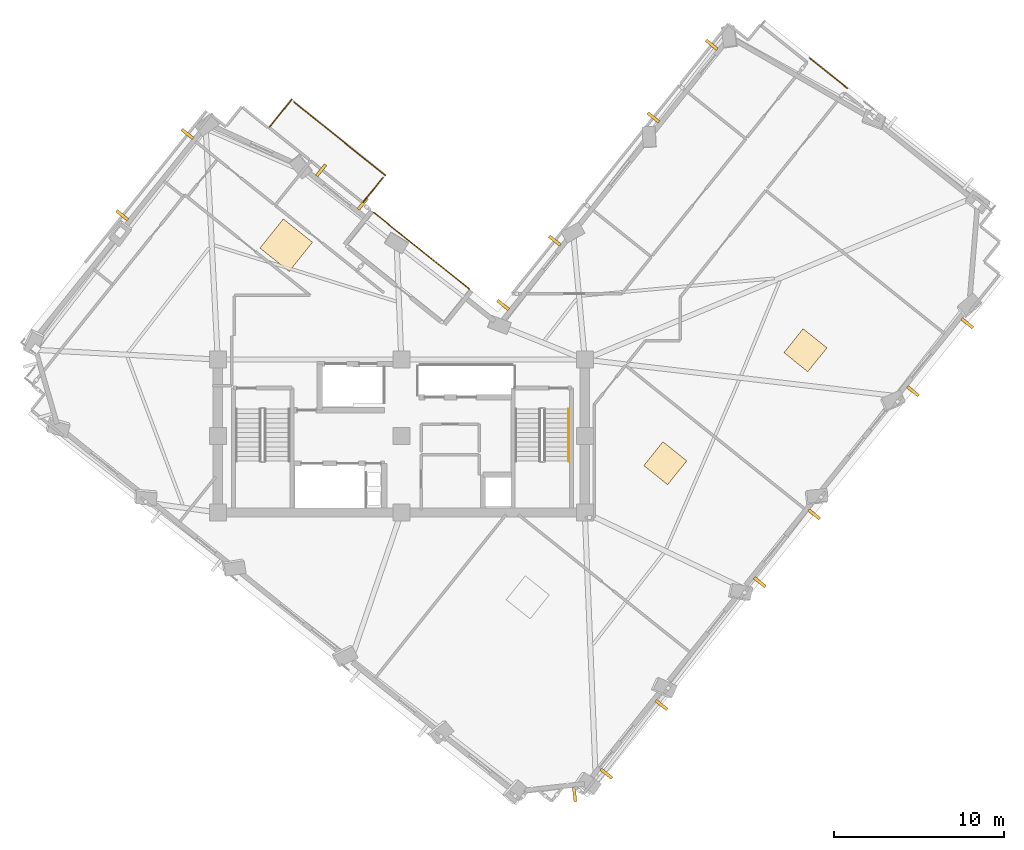
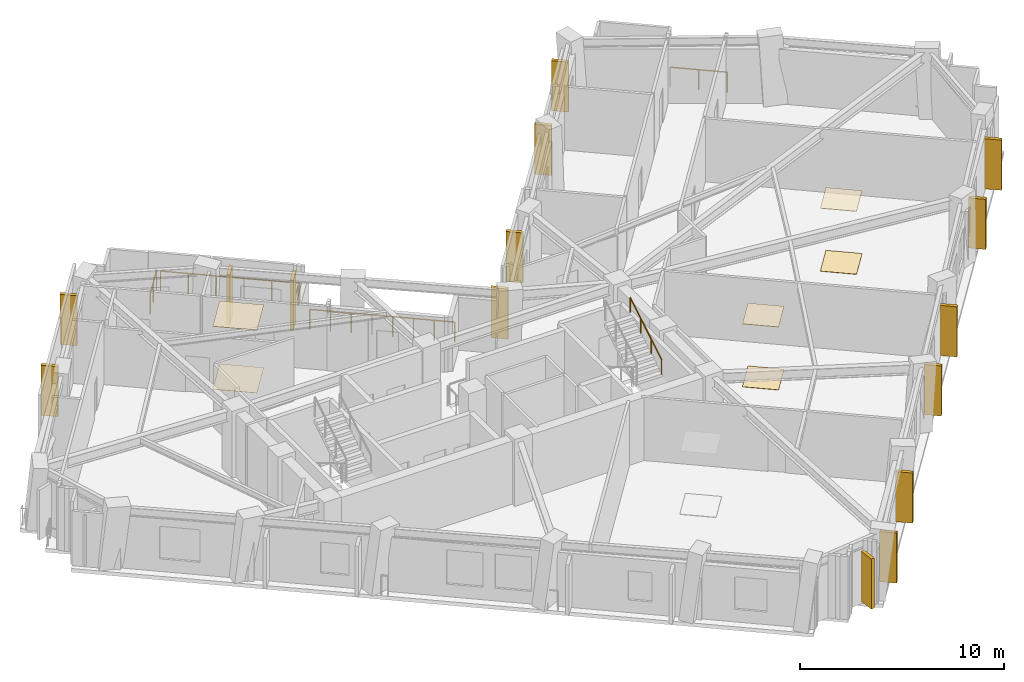
# One storey, part 9 of 10: 15 shading devices, 6 coverings, 6 railings.
"""IFC4 building model written with IfcOpenShell, lengths in metres."""

from ifc_helpers import new_model, si_unit, direction, frame, origin, origin_2d, place, context, subcontext, project, spatial, rectangle, circle, extrude, material, layer, layer_set, type_object, element, save


model = new_model("IFC4")

# Units and contexts
model_context = context("Model", 3, precision=1e-05, world=origin(), true_north=direction((0.0, 1.0)))
body_context = subcontext(model_context, "Body", "Model", "MODEL_VIEW")
ifc_project = project(units=[si_unit("LENGTHUNIT", "METRE"), si_unit("AREAUNIT", "SQUARE_METRE"), si_unit("VOLUMEUNIT", "CUBIC_METRE"), si_unit("PLANEANGLEUNIT", "RADIAN"), si_unit("MASSUNIT", "GRAM", prefix="KILO")], contexts=[model_context])

# Site, building, storey
site_placement = place(None, origin())
site = spatial("IfcSite", under=ifc_project, at=site_placement, CompositionType="ELEMENT")
building_placement = place(site_placement, origin())
building = spatial("IfcBuilding", under=site, at=building_placement, Name="Gaonmaruhae Medical Tower", CompositionType="ELEMENT")
storey_placement = place(building_placement, frame((0.0, 0.0, 243.199951171875)))
storey = spatial("IfcBuildingStorey", under=building, at=storey_placement, Name="L58", CompositionType="ELEMENT", Elevation=243.199951171875)

# Coverings
ifc_material_1 = material(Name="Acoustic mineral ceiling tile", Category="finish")
ifc_layer_1 = layer(ifc_material_1, 0.02490234375)
ifc_layer_set_1 = layer_set([ifc_layer_1], Name="Acoustic mineral ceiling tile")
covering_type_1 = type_object("IfcCoveringType", Name="CLG-01 Antimicrobial Acoustic Mineral Ceiling", PredefinedType="CEILING", material=ifc_layer_set_1)
covering_1_placement = place(storey_placement, frame((18.029052734375, 23.5322265625, 3.755126953125), z_axis=(0.0, 0.0, 1.0), x_axis=(0.625242656336, 0.780430407338, 0.0)))
element("IfcCovering", 1, at=covering_1_placement, inside=storey, type_object=covering_type_1, Name="L58 Clinical Corridor Acoustic Ceiling", PredefinedType="CEILING", context=body_context, shape_type="SweptSolid", body=[
    extrude(rectangle(XDim=2.199951171875, YDim=2.199951171875, at=origin_2d()), origin(), (0.0, 0.0, 1.0), 0.02490234375),
])
for number, where, z_axis, x_axis, name in (
    (2, (40.337890625, 10.70068359375, 3.755126953125), (0.0, 0.0, 1.0), (0.625242656336, 0.780430407338, 0.0), "L58 Clinical Room Acoustic Ceiling 3"),
    (3, (48.587890625, 17.349365234375, 3.755126953125), (0.0, 0.0, 1.0), (0.625242656336, 0.780430407338, 0.0), "L58 Clinical Room Acoustic Ceiling 4"),
):
    element("IfcCovering", number, at=place(storey_placement, frame(where, z_axis=z_axis, x_axis=x_axis)), inside=storey, type_object=covering_type_1, Name=name, PredefinedType="CEILING", context=body_context, shape_type="SweptSolid", body=[
        extrude(rectangle(XDim=1.800048828125, YDim=1.800048828125, at=origin_2d()), origin(), (0.0, 0.0, 1.0), 0.02490234375),
    ])
ifc_material_2 = material(Name="Seamless clinical vinyl flooring", Category="finish")
ifc_layer_2 = layer(ifc_material_2, 0.014892578125)
ifc_layer_set_2 = layer_set([ifc_layer_2], Name="Seamless clinical vinyl flooring")
covering_type_2 = type_object("IfcCoveringType", Name="FLR-01 Seamless Clinical Antistatic Vinyl Flooring", PredefinedType="FLOORING", material=ifc_layer_set_2)
covering_2_placement = place(storey_placement, frame((18.029052734375, 23.5322265625, 0.00048828125), z_axis=(0.0, 0.0, 1.0), x_axis=(0.625242656336, 0.780430407338, 0.0)))
element("IfcCovering", 4, at=covering_2_placement, inside=storey, type_object=covering_type_2, Name="L58 Clinical Corridor Vinyl Flooring", PredefinedType="FLOORING", context=body_context, shape_type="SweptSolid", body=[
    extrude(rectangle(XDim=2.199951171875, YDim=2.199951171875, at=origin_2d()), origin(), (0.0, 0.0, 1.0), 0.014892578125),
])
for number, where, z_axis, x_axis, name in (
    (5, (40.337890625, 10.70068359375, 0.0), (0.0, 0.0, 1.0), (0.625242656336, 0.780430407338, 0.0), "L58 Clinical Room Vinyl Flooring 3"),
    (6, (48.587890625, 17.349365234375, 0.0), (0.0, 0.0, 1.0), (0.625242656336, 0.780430407338, 0.0), "L58 Clinical Room Vinyl Flooring 4"),
):
    element("IfcCovering", number, at=place(storey_placement, frame(where, z_axis=z_axis, x_axis=x_axis)), inside=storey, type_object=covering_type_2, Name=name, PredefinedType="FLOORING", context=body_context, shape_type="SweptSolid", body=[
        extrude(rectangle(XDim=1.800048828125, YDim=1.800048828125, at=origin_2d()), origin(), (0.0, 0.0, 1.0), 0.014892578125),
    ])

# Railings
ifc_material_3 = material(Name="Stainless steel 316L and laminated safety glass", Category="steel")
ifc_layer_3 = layer(ifc_material_3, 0.080078125)
ifc_layer_set_3 = layer_set([ifc_layer_3], Name="Stainless steel 316L and laminated safety glass")
railing_type_1 = type_object("IfcRailingType", Name="GD-120 Outdoor Terrace Safety Glass & Steel Balustrade", PredefinedType="BALUSTRADE", material=ifc_layer_set_3)
railing_1_placement = place(storey_placement, frame((28.803466796875, 20.95458984375, 0.0)))
element("IfcRailing", 7, at=railing_1_placement, inside=storey, type_object=railing_type_1, Name="L58 Terrace Safety Guard RL-SLB-L58-TER-02", PredefinedType="BALUSTRADE", context=body_context, shape_type="SweptSolid", body=[
    extrude(circle(Radius=0.02392578125, at=origin_2d()), frame((0.0, 0.0, 1.17578125), z_axis=(-0.780435255919, 0.62523660427, 0.0), x_axis=(-0.62523660427, -0.780435255919, 0.0)), (0.0, 0.0, 1.0), 7.199951171875),
    extrude(circle(Radius=0.02099609375, at=origin_2d()), origin(), (0.0, 0.0, 1.0), 1.15185546875),
    extrude(circle(Radius=0.02099609375, at=origin_2d()), frame((-0.802734375, 0.64306640625, 0.0)), (0.0, 0.0, 1.0), 1.15185546875),
    extrude(circle(Radius=0.02099609375, at=origin_2d()), frame((-1.60546875, 1.2861328125, 0.0)), (0.0, 0.0, 1.0), 1.15185546875),
    extrude(circle(Radius=0.02099609375, at=origin_2d()), frame((-2.408203125, 1.92919921875, 0.0)), (0.0, 0.0, 1.0), 1.15185546875),
    extrude(circle(Radius=0.02099609375, at=origin_2d()), frame((-3.2109375, 2.572509765625, 0.0)), (0.0, 0.0, 1.0), 1.15185546875),
    extrude(circle(Radius=0.02099609375, at=origin_2d()), frame((-4.013671875, 3.215576171875, 0.0)), (0.0, 0.0, 1.0), 1.15185546875),
    extrude(circle(Radius=0.02099609375, at=origin_2d()), frame((-4.81640625, 3.858642578125, 0.0)), (0.0, 0.0, 1.0), 1.15185546875),
    extrude(circle(Radius=0.02099609375, at=origin_2d()), frame((-5.619140625, 4.501708984375, 0.0)), (0.0, 0.0, 1.0), 1.15185546875),
])
railing_2_placement = place(storey_placement, frame((48.830078125, 34.547607421875, 0.0)))
element("IfcRailing", 8, at=railing_2_placement, inside=storey, type_object=railing_type_1, Name="L58 Perimeter Slab Edge Safety Balustrade 02", PredefinedType="BALUSTRADE", context=body_context, shape_type="SweptSolid", body=[
    extrude(circle(Radius=0.02392578125, at=origin_2d()), frame((0.0, 0.0, 1.17578125), z_axis=(0.780457469105, -0.625208876231, 0.0), x_axis=(0.625208876231, 0.780457469105, 0.0)), (0.0, 0.0, 1.0), 2.838623046875),
    extrude(circle(Radius=0.02099609375, at=origin_2d()), origin(), (0.0, 0.0, 1.0), 1.15185546875),
    extrude(circle(Radius=0.02099609375, at=origin_2d()), frame((1.107666015625, -0.88720703125, 0.0)), (0.0, 0.0, 1.0), 1.15185546875),
    extrude(circle(Radius=0.02099609375, at=origin_2d()), frame((2.21533203125, -1.774658203125, 0.0)), (0.0, 0.0, 1.0), 1.15185546875),
])
railing_3_placement = place(storey_placement, frame((17.051513671875, 30.484130859375, 0.0)))
element("IfcRailing", 9, at=railing_3_placement, inside=storey, type_object=railing_type_1, Name="L58 Perimeter Slab Edge Safety Balustrade 10", PredefinedType="BALUSTRADE", context=body_context, shape_type="SweptSolid", body=[
    extrude(circle(Radius=0.02392578125, at=origin_2d()), frame((0.0, 0.0, 1.17578125), z_axis=(0.625179089968, 0.780481329352, 0.0), x_axis=(-0.780481329352, 0.625179089968, 0.0)), (0.0, 0.0, 1.0), 2.0908203125),
    extrude(circle(Radius=0.02099609375, at=origin_2d()), origin(), (0.0, 0.0, 1.0), 1.15185546875),
    extrude(circle(Radius=0.02099609375, at=origin_2d()), frame((0.653564453125, 0.81591796875, 0.0)), (0.0, 0.0, 1.0), 1.15185546875),
    extrude(circle(Radius=0.02099609375, at=origin_2d()), frame((1.30712890625, 1.6318359375, 0.0)), (0.0, 0.0, 1.0), 1.15185546875),
])
railing_4_placement = place(storey_placement, frame((18.484375, 31.951171875, 0.0)))
element("IfcRailing", 10, at=railing_4_placement, inside=storey, type_object=railing_type_1, Name="L58 Perimeter Slab Edge Safety Balustrade 11", PredefinedType="BALUSTRADE", context=body_context, shape_type="SweptSolid", body=[
    extrude(circle(Radius=0.02392578125, at=origin_2d()), frame((0.0, 0.0, 1.17578125), z_axis=(0.780420430296, -0.625255109516, 0.0), x_axis=(0.625255109516, 0.780420430296, 0.0)), (0.0, 0.0, 1.0), 6.908935546875),
    extrude(circle(Radius=0.02099609375, at=origin_2d()), origin(), (0.0, 0.0, 1.0), 1.15185546875),
    extrude(circle(Radius=0.02099609375, at=origin_2d()), frame((1.078369140625, -0.864013671875, 0.0)), (0.0, 0.0, 1.0), 1.15185546875),
    extrude(circle(Radius=0.02099609375, at=origin_2d()), frame((2.15673828125, -1.72802734375, 0.0)), (0.0, 0.0, 1.0), 1.15185546875),
    extrude(circle(Radius=0.02099609375, at=origin_2d()), frame((3.235107421875, -2.591796875, 0.0)), (0.0, 0.0, 1.0), 1.15185546875),
    extrude(circle(Radius=0.02099609375, at=origin_2d()), frame((4.3134765625, -3.455810546875, 0.0)), (0.0, 0.0, 1.0), 1.15185546875),
    extrude(circle(Radius=0.02099609375, at=origin_2d()), frame((5.391845703125, -4.31982421875, 0.0)), (0.0, 0.0, 1.0), 1.15185546875),
])
railing_5_placement = place(storey_placement, frame((23.719482421875, 27.515625, 0.0)))
element("IfcRailing", 11, at=railing_5_placement, inside=storey, type_object=railing_type_1, Name="L58 Perimeter Slab Edge Safety Balustrade 12", PredefinedType="BALUSTRADE", context=body_context, shape_type="SweptSolid", body=[
    extrude(circle(Radius=0.02392578125, at=origin_2d()), frame((0.0, 0.0, 1.17578125), z_axis=(-0.625273523438, -0.780405677124, 0.0), x_axis=(0.780405677124, -0.625273523438, 0.0)), (0.0, 0.0, 1.0), 1.852294921875),
    extrude(circle(Radius=0.02099609375, at=origin_2d()), origin(), (0.0, 0.0, 1.0), 1.15185546875),
    extrude(circle(Radius=0.02099609375, at=origin_2d()), frame((-0.5791015625, -0.72265625, 0.0)), (0.0, 0.0, 1.0), 1.15185546875),
    extrude(circle(Radius=0.02099609375, at=origin_2d()), frame((-1.158203125, -1.445556640625, 0.0)), (0.0, 0.0, 1.0), 1.15185546875),
])
ifc_material_4 = material(Name="Stainless steel 304 handrail", Category="steel")
railing_type_2 = type_object("IfcRailingType", Name="HR-092 Continuous Stainless Steel Stair Handrail", PredefinedType="HANDRAIL", material=ifc_material_4)
railing_6_placement = place(storey_placement, frame((34.64990234375, 10.820068359375, 2.166748046875)))
element("IfcRailing", 12, at=railing_6_placement, inside=storey, type_object=railing_type_2, Name="L58 ST-02 stair handrail 2", PredefinedType="HANDRAIL", context=body_context, shape_type="SweptSolid", body=[
    extrude(circle(Radius=0.02392578125, at=origin_2d()), frame((0.0, 0.0, 0.8759765625), z_axis=(0.0, 0.859290745958, 0.51148745235), x_axis=(-1.0, 0.0, 0.0)), (0.0, 0.0, 1.0), 3.584228515625),
    extrude(circle(Radius=0.02099609375, at=origin_2d()), origin(), (0.0, 0.0, 1.0), 0.851806640625),
    extrude(circle(Radius=0.02099609375, at=origin_2d()), frame((0.0, 1.026611328125, 0.611083984375)), (0.0, 0.0, 1.0), 0.851806640625),
    extrude(circle(Radius=0.02099609375, at=origin_2d()), frame((0.0, 2.05322265625, 1.22216796875)), (0.0, 0.0, 1.0), 0.851806640625),
    extrude(circle(Radius=0.02099609375, at=origin_2d()), frame((0.0, 3.079833984375, 1.833251953125)), (0.0, 0.0, 1.0), 0.851806640625),
])

# Shading devices
ifc_material_5 = material(Name="Pigmented coral precast concrete C45/55", Category="concrete")
shading_device_type = type_object("IfcShadingDeviceType", Name="SD-FIN1 Tower Vertical Coral Precast Shading Fin", PredefinedType="USERDEFINED", material=ifc_material_5)
for number, where, z_axis, x_axis, name in (
    (13, (40.113037109375, -3.5283203125, 0.132568359375), (0.0, 0.0, 1.0), (-0.625242656336, -0.780430407338, 0.0), "L58 Vertical Coral Precast Shading Fin S01"),
    (14, (36.871337890625, -7.57470703125, 0.132568359375), (0.0, 0.0, 1.0), (-0.625242656336, -0.780430407338, 0.0), "L58 Vertical Coral Precast Shading Fin S01B"),
    (15, (49.10009765625, 7.689453125, 0.132568359375), (0.0, 0.0, 1.0), (-0.62522903516, -0.780441319762, 0.0), "L58 Vertical Coral Precast Shading Fin S03"),
    (16, (45.90283203125, 3.69873046875, 0.132568359375), (0.0, 0.0, 1.0), (-0.62522903516, -0.780441319762, 0.0), "L58 Vertical Coral Precast Shading Fin S03B"),
    (17, (58.110107421875, 18.935791015625, 0.132568359375), (0.0, 0.0, 1.0), (-0.625242656336, -0.780430407338, 0.0), "L58 Vertical Coral Precast Shading Fin S05"),
    (18, (54.909912109375, 14.94140625, 0.132568359375), (0.0, 0.0, 1.0), (-0.625242656336, -0.780430407338, 0.0), "L58 Vertical Coral Precast Shading Fin S05B"),
    (19, (39.638671875, 31.0498046875, 0.132568359375), (0.0, 0.0, 1.0), (0.625242656336, 0.780430407338, 0.0), "L58 Vertical Coral Precast Shading Fin E03"),
    (20, (43.064697265625, 35.326416015625, 0.132568359375), (0.0, 0.0, 1.0), (0.625242656336, 0.780430407338, 0.0), "L58 Vertical Coral Precast Shading Fin E03B"),
    (21, (30.79296875, 20.008544921875, 0.132568359375), (0.0, 0.0, 1.0), (0.62522903516, 0.780441319762, 0.0), "L58 Vertical Coral Precast Shading Fin EN02"),
    (22, (33.830322265625, 23.800048828125, 0.132568359375), (0.0, 0.0, 1.0), (0.62522903516, 0.780441319762, 0.0), "L58 Vertical Coral Precast Shading Fin EN02B"),
    (23, (20.07958984375, 27.9375, 0.132568359375), (0.0, 0.0, 1.0), (0.780441319762, -0.62522903516, 0.0), "L58 Vertical Coral Precast Shading Fin NE01"),
    (24, (22.53369140625, 25.971435546875, 0.132568359375), (0.0, 0.0, 1.0), (0.780441319762, -0.62522903516, 0.0), "L58 Vertical Coral Precast Shading Fin NE01B"),
    (25, (8.375, 25.29345703125, 0.132568359375), (0.0, 0.0, 1.0), (0.625242656336, 0.780430407338, 0.0), "L58 Vertical Coral Precast Shading Fin N01"),
    (26, (12.21044921875, 30.080810546875, 0.132568359375), (0.0, 0.0, 1.0), (0.625242656336, 0.780430407338, 0.0), "L58 Vertical Coral Precast Shading Fin N01B"),
    (27, (34.999267578125, -8.78076171875, 0.132568359375), (0.0, 0.0, 1.0), (-0.993959040079, -0.109751658966, 0.0), "L58 Vertical Coral Precast Shading Fin W06"),
):
    element("IfcShadingDevice", number, at=place(storey_placement, frame(where, z_axis=z_axis, x_axis=x_axis)), inside=storey, type_object=shading_device_type, Name=name, ObjectType="FIN", PredefinedType="USERDEFINED", context=body_context, shape_type="SweptSolid", body=[
        extrude(rectangle(XDim=0.179931640625, YDim=0.85009765625, at=origin_2d()), origin(), (0.0, 0.0, 1.0), 3.0),
    ])

save(model, "model.ifc")
